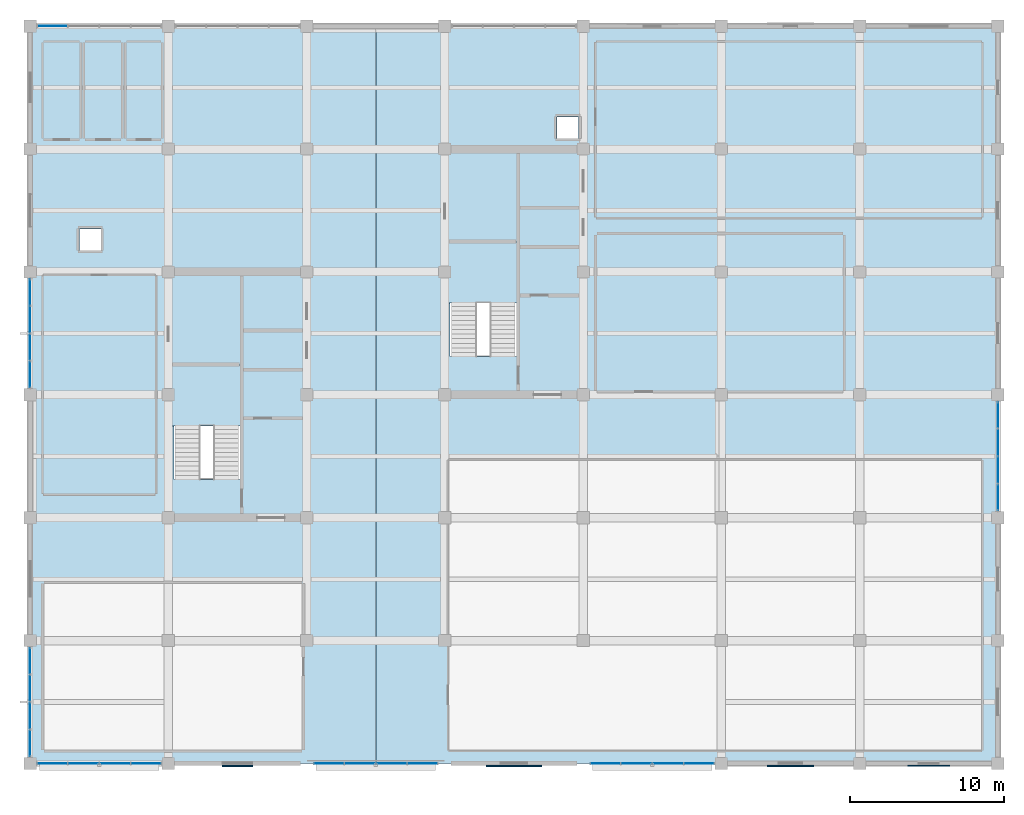
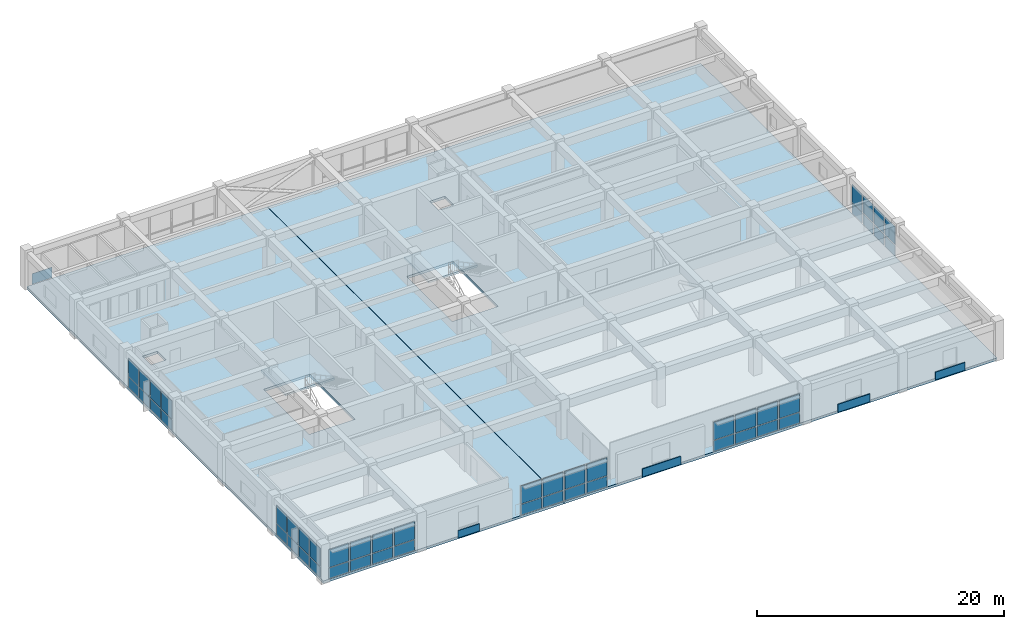
# One storey, part 11 of 16: 53 plates, 4 slabs, 9 elements without a shape of their own.
"""IFC4 building model written with IfcOpenShell, lengths in metres."""

import ifcopenshell
import ifcopenshell.guid

model = None  # the IFC model being written
_history = None  # IfcOwnerHistory: only IFC2X3 demands one
_inside = {}  # id of a spatial element -> (the spatial element, [elements in it])
_under = {}  # id of a project, library or spatial element -> (it, [spatial elements below it])
_declared = {}  # id of a project -> (the project, [libraries it declares])
_typed = {}  # id of a type object -> (the type object, [elements of that type])
_made_of = {}  # id of a material, layer set ... -> (it, [elements and type objects made of it])


def new_model(schema):
    """Start an empty IFC model of exactly this schema.

    Asked for "IFC4X3", IfcOpenShell would pick the latest addendum, in which some entities
    have other attributes; the version numbers below select the first issue.
    IFC2X3 requires an IfcOwnerHistory on every rooted entity: one is made here for all.
    """
    global model, _history
    if schema == "IFC4X3":
        model = ifcopenshell.file(schema_version=(4, 3, 0, 0))
    else:
        model = ifcopenshell.file(schema=schema)
    _inside.clear()
    _under.clear()
    _declared.clear()
    _typed.clear()
    _made_of.clear()
    _history = None
    if model.schema == "IFC2X3":
        org = make("IfcOrganization", Name="unknown")
        user = make(
            "IfcPersonAndOrganization",
            ThePerson=make("IfcPerson", FamilyName="unknown"),
            TheOrganization=org,
        )
        app = make(
            "IfcApplication",
            ApplicationDeveloper=org,
            Version="unknown",
            ApplicationFullName="unknown",
            ApplicationIdentifier="unknown",
        )
        _history = make(
            "IfcOwnerHistory",
            OwningUser=user,
            OwningApplication=app,
            ChangeAction="ADDED",
            CreationDate=0,
        )
    return model


def make(cls, **values):
    """One entity of the class cls with the attributes given. An attribute that is None is left unset."""
    return model.create_entity(
        cls, **{name: value for name, value in values.items() if value is not None}
    )


def rooted(cls, **values):
    """An entity with a GlobalId (a new one), such as an element, a storey or a relation."""
    return make(cls, GlobalId=ifcopenshell.guid.new(), OwnerHistory=_history, **values)


def si_unit(unit_type, name, prefix=None):
    """IfcSIUnit, for example si_unit("LENGTHUNIT", "METRE", prefix="MILLI")."""
    return make("IfcSIUnit", UnitType=unit_type, Prefix=prefix, Name=name)


def assignment(units):
    """IfcUnitAssignment: the units of a project."""
    return None if units is None else make("IfcUnitAssignment", Units=units)


def point(xyz):
    """IfcCartesianPoint."""
    return None if xyz is None else make("IfcCartesianPoint", Coordinates=xyz)


def direction(xyz):
    """IfcDirection."""
    return None if xyz is None else make("IfcDirection", DirectionRatios=xyz)


def frame(location, z_axis=None, x_axis=None):
    """IfcAxis2Placement3D, a coordinate frame: its origin and axes. An axis left out is left unset."""
    return make(
        "IfcAxis2Placement3D",
        Location=point(location),
        Axis=direction(z_axis),
        RefDirection=direction(x_axis),
    )


def frame_2d(location, x_axis=None):
    """IfcAxis2Placement2D, a coordinate frame in the plane: its origin and x axis."""
    return make(
        "IfcAxis2Placement2D", Location=point(location), RefDirection=direction(x_axis)
    )


def origin():
    """The frame at (0, 0, 0) with its axes left unset."""
    return frame((0.0, 0.0, 0.0))


def place(relative_to, where):
    """IfcLocalPlacement: puts the frame where relative to a parent placement (None: the world)."""
    return make(
        "IfcLocalPlacement", PlacementRelTo=relative_to, RelativePlacement=where
    )


def context(
    kind, dimensions, precision=None, world=None, true_north=None, identifier=None
):
    """IfcGeometricRepresentationContext, for example the 3D "Model" context."""
    return make(
        "IfcGeometricRepresentationContext",
        ContextIdentifier=identifier,
        ContextType=kind,
        CoordinateSpaceDimension=dimensions,
        Precision=precision,
        WorldCoordinateSystem=world,
        TrueNorth=true_north,
    )


def subcontext(parent, identifier, kind, view, scale=None):
    """IfcGeometricRepresentationSubContext, for example "Body" below "Model"."""
    return make(
        "IfcGeometricRepresentationSubContext",
        ContextIdentifier=identifier,
        ContextType=kind,
        ParentContext=parent,
        TargetScale=scale,
        TargetView=view,
    )


def project(units=None, contexts=None):
    """IfcProject with its units and contexts."""
    return rooted(
        "IfcProject",
        Name="project",
        RepresentationContexts=contexts,
        UnitsInContext=assignment(units),
    )


def spatial(cls, under=None, at=None, **own):
    """A site, building, storey or space (cls), placed at a placement, below another one or the project."""
    s = rooted(cls, ObjectPlacement=at, **own)
    if under is not None:
        _under.setdefault(under.id(), (under, []))[1].append(s)
    return s


def polyline(points):
    """IfcPolyline through the points."""
    return make("IfcPolyline", Points=[point(p) for p in points])


def profile(cls, at=None, kind="AREA", **sizes):
    """A parametric profile (cls). Its sizes go by their IFC names, for example OverallWidth=200.0."""
    return make(cls, ProfileType=kind, Position=at, **sizes)


def rectangle(**sizes):
    """IfcRectangleProfileDef."""
    return profile("IfcRectangleProfileDef", **sizes)


def outline(outer, holes=None, kind="AREA"):
    """IfcArbitraryClosedProfileDef: a profile drawn as a closed curve; with holes, ...WithVoids."""
    if holes is None:
        return make("IfcArbitraryClosedProfileDef", ProfileType=kind, OuterCurve=outer)
    return make(
        "IfcArbitraryProfileDefWithVoids",
        ProfileType=kind,
        OuterCurve=outer,
        InnerCurves=holes,
    )


def extrude(swept, where, along, depth):
    """IfcExtrudedAreaSolid: the profile swept, set in the frame where, extruded along a direction by depth."""
    return make(
        "IfcExtrudedAreaSolid",
        SweptArea=swept,
        Position=where,
        ExtrudedDirection=direction(along),
        Depth=depth,
    )


def shape(context_of_items, identifier, shape_type, items):
    """IfcShapeRepresentation: the items that make up one representation, for example the "Body"."""
    return make(
        "IfcShapeRepresentation",
        ContextOfItems=context_of_items,
        RepresentationIdentifier=identifier,
        RepresentationType=shape_type,
        Items=items,
    )


def material(Name=None, Category=None):
    """IfcMaterial."""
    return make("IfcMaterial", Name=Name, Category=Category)


def layer(
    of_material, thickness, ventilated=None, Name=None, Category=None, Priority=None
):
    """IfcMaterialLayer: one layer of a wall or slab, of a material (None: an air gap)."""
    return make(
        "IfcMaterialLayer",
        Material=of_material,
        LayerThickness=thickness,
        IsVentilated=ventilated,
        Name=Name,
        Category=Category,
        Priority=Priority,
    )


def layer_set(layers, Name=None):
    """IfcMaterialLayerSet."""
    return make("IfcMaterialLayerSet", MaterialLayers=layers, LayerSetName=Name)


def made_of(thing, what):
    """Note that an element or type object is made of a material, layer set ...; save() writes the relation."""
    if what is not None:
        _made_of.setdefault(what.id(), (what, []))[1].append(thing)
    return thing


def type_object(cls, material=None, **own):
    """A type object (cls), such as IfcWallType, which elements share."""
    return made_of(rooted(cls, **own), material)


def element(
    cls,
    number,
    at=None,
    inside=None,
    cuts=None,
    type_object=None,
    material=None,
    context=None,
    identifier="Body",
    shape_type=None,
    held_by="IfcProductDefinitionShape",
    body=None,
    shapes=None,
    **own,
):
    """One element of the class cls, such as IfcWall. Its Tag is "e" and its number.

    at: its placement. inside: the storey or other place that contains it. cuts: it is an
    opening in that element (IfcRelVoidsElement). A single representation is given by context,
    identifier, shape_type and body (its items); several are given by shapes. held_by: the class
    of the entity that holds the representations. save() writes the other relations.
    """
    e = rooted(cls, Tag="e%d" % number, ObjectPlacement=at, **own)
    if body is not None:
        shapes = [shape(context, identifier, shape_type, body)]
    if shapes is not None:
        e.Representation = make(held_by, Representations=shapes)
    if inside is not None:
        _inside.setdefault(inside.id(), (inside, []))[1].append(e)
    if cuts is not None:
        rooted(
            "IfcRelVoidsElement", RelatingBuildingElement=cuts, RelatedOpeningElement=e
        )
    if type_object is not None:
        _typed.setdefault(type_object.id(), (type_object, []))[1].append(e)
    return made_of(e, material)


def aggregate(whole, parts):
    """IfcRelAggregates: a whole, such as a stair, and the parts it consists of."""
    return rooted("IfcRelAggregates", RelatingObject=whole, RelatedObjects=parts)


def save(model, path):
    """Write the relations noted so far, then the file.

    IfcRelAggregates (storeys below a building ...), IfcRelContainedInSpatialStructure (elements
    in a storey), IfcRelDefinesByType, IfcRelAssociatesMaterial and IfcRelDeclares: one each for
    every whole, place, type object, material and project.
    """
    for whole, parts in _under.values():
        aggregate(whole, parts)
    for where, things in _inside.values():
        rooted(
            "IfcRelContainedInSpatialStructure",
            RelatedElements=things,
            RelatingStructure=where,
        )
    for kind, things in _typed.values():
        rooted("IfcRelDefinesByType", RelatedObjects=things, RelatingType=kind)
    for what, things in _made_of.values():
        rooted("IfcRelAssociatesMaterial", RelatedObjects=things, RelatingMaterial=what)
    for by, libraries in _declared.values():
        rooted("IfcRelDeclares", RelatingContext=by, RelatedDefinitions=libraries)
    model.write(path)


model = new_model("IFC4")

# Units and contexts
model_context = context("Model", 3, precision=1e-05, world=origin(), true_north=direction((0.0, 1.0)))
body_context = subcontext(model_context, "Body", "Model", "MODEL_VIEW")
ifc_project = project(units=[si_unit("LENGTHUNIT", "METRE"), si_unit("AREAUNIT", "SQUARE_METRE"), si_unit("VOLUMEUNIT", "CUBIC_METRE"), si_unit("PLANEANGLEUNIT", "RADIAN"), si_unit("MASSUNIT", "GRAM", prefix="KILO")], contexts=[model_context])

# Site, building, storey
site_placement = place(None, origin())
site = spatial("IfcSite", under=ifc_project, at=site_placement, CompositionType="ELEMENT")
building_placement = place(site_placement, origin())
building = spatial("IfcBuilding", under=site, at=building_placement, Name="Zaverband Oceanarium and Marine Research Institute", CompositionType="ELEMENT")
storey_placement = place(building_placement, frame((0.0, 0.0, 37.5)))
storey = spatial("IfcBuildingStorey", under=building, at=storey_placement, Name="L09", CompositionType="ELEMENT", Elevation=37.5)

# Curtain wall, plates
ifc_material_1 = material(Name="Thermally broken anodized aluminium and solar-control glass", Category="aluminium")
curtain_wall_type = type_object("IfcCurtainWallType", Name="CW-UNIT-1800", PredefinedType="NOTDEFINED", material=ifc_material_1)
curtain_wall_1_placement = place(storey_placement, origin())
curtain_wall_1 = element("IfcCurtainWall", 1, at=curtain_wall_1_placement, inside=storey, type_object=curtain_wall_type, Name="Unitised glazed curtain wall CW-109", PredefinedType="NOTDEFINED")
ifc_material_2 = material(Name="Low-E double-glazed solar-control glass", Category="glass")
ifc_layer_1 = layer(ifc_material_2, 0.033935546875, Name="Low-E double-glazed solar-control glass")
ifc_layer_set_1 = layer_set([ifc_layer_1], Name="Low-E double-glazed solar-control glass")
plate_type_1 = type_object("IfcPlateType", Name="CWP-1570x1043", PredefinedType="CURTAIN_PANEL", material=ifc_layer_set_1)
plate_1_placement = place(storey_placement, frame((9.0, 64.485107421875, 0.050048828125), z_axis=(0.0, 0.0, 1.0), x_axis=(0.0, 1.0, 0.0)))
plate_1 = element("IfcPlate", 2, at=plate_1_placement, type_object=plate_type_1, Name="Glazed curtain wall panel CWP-1570x1043", PredefinedType="CURTAIN_PANEL", context=body_context, shape_type="SweptSolid", body=[
    extrude(rectangle(XDim=1.637451171875, YDim=0.033935546875, at=frame_2d((0.81884765625, 0.0))), origin(), (0.0, 0.0, 1.0), 1.04296875),
])
plate_2_placement = place(storey_placement, frame((9.0, 66.282470703125, 0.050048828125), z_axis=(0.0, 0.0, 1.0), x_axis=(0.0, 1.0, 0.0)))
plate_2 = element("IfcPlate", 3, at=plate_2_placement, type_object=plate_type_1, Name="Glazed curtain wall panel CWP-1570x1043", PredefinedType="CURTAIN_PANEL", context=body_context, shape_type="SweptSolid", body=[
    extrude(rectangle(XDim=1.637451171875, YDim=0.033935546875, at=frame_2d((0.81884765625, 0.0))), origin(), (0.0, 0.0, 1.0), 1.04296875),
])
plate_3_placement = place(storey_placement, frame((9.0, 68.080078125, 0.050048828125), z_axis=(0.0, 0.0, 1.0), x_axis=(0.0, 1.0, 0.0)))
plate_3 = element("IfcPlate", 4, at=plate_3_placement, type_object=plate_type_1, Name="Glazed curtain wall panel CWP-1570x1043", PredefinedType="CURTAIN_PANEL", context=body_context, shape_type="SweptSolid", body=[
    extrude(rectangle(XDim=1.637451171875, YDim=0.033935546875, at=frame_2d((0.81884765625, 0.0))), origin(), (0.0, 0.0, 1.0), 1.04296875),
])
plate_4_placement = place(storey_placement, frame((9.0, 69.87744140625, 0.050048828125), z_axis=(0.0, 0.0, 1.0), x_axis=(0.0, 1.0, 0.0)))
plate_4 = element("IfcPlate", 5, at=plate_4_placement, type_object=plate_type_1, Name="Glazed curtain wall panel CWP-1570x1043", PredefinedType="CURTAIN_PANEL", context=body_context, shape_type="SweptSolid", body=[
    extrude(rectangle(XDim=1.637451171875, YDim=0.033935546875, at=frame_2d((0.81884765625, 0.0))), origin(), (0.0, 0.0, 1.0), 1.04296875),
])

curtain_wall_2_placement = place(storey_placement, origin())
curtain_wall_2 = element("IfcCurtainWall", 6, at=curtain_wall_2_placement, inside=storey, type_object=curtain_wall_type, Name="Unitised glazed curtain wall CW-110", PredefinedType="NOTDEFINED")
plate_5_placement = place(storey_placement, frame((9.0, 88.485107421875, 0.050048828125), z_axis=(0.0, 0.0, 1.0), x_axis=(0.0, 1.0, 0.0)))
plate_5 = element("IfcPlate", 7, at=plate_5_placement, type_object=plate_type_1, Name="Glazed curtain wall panel CWP-1570x1043", PredefinedType="CURTAIN_PANEL", context=body_context, shape_type="SweptSolid", body=[
    extrude(rectangle(XDim=1.637451171875, YDim=0.033935546875, at=frame_2d((0.81884765625, 0.0))), origin(), (0.0, 0.0, 1.0), 1.04296875),
])
plate_6_placement = place(storey_placement, frame((9.0, 90.282470703125, 0.050048828125), z_axis=(0.0, 0.0, 1.0), x_axis=(0.0, 1.0, 0.0)))
plate_6 = element("IfcPlate", 8, at=plate_6_placement, type_object=plate_type_1, Name="Glazed curtain wall panel CWP-1570x1043", PredefinedType="CURTAIN_PANEL", context=body_context, shape_type="SweptSolid", body=[
    extrude(rectangle(XDim=1.637451171875, YDim=0.033935546875, at=frame_2d((0.81884765625, 0.0))), origin(), (0.0, 0.0, 1.0), 1.04296875),
])
plate_7_placement = place(storey_placement, frame((9.0, 92.080078125, 0.050048828125), z_axis=(0.0, 0.0, 1.0), x_axis=(0.0, 1.0, 0.0)))
plate_7 = element("IfcPlate", 9, at=plate_7_placement, type_object=plate_type_1, Name="Glazed curtain wall panel CWP-1570x1043", PredefinedType="CURTAIN_PANEL", context=body_context, shape_type="SweptSolid", body=[
    extrude(rectangle(XDim=1.637451171875, YDim=0.033935546875, at=frame_2d((0.81884765625, 0.0))), origin(), (0.0, 0.0, 1.0), 1.04296875),
])
plate_8_placement = place(storey_placement, frame((9.0, 93.87744140625, 0.050048828125), z_axis=(0.0, 0.0, 1.0), x_axis=(0.0, 1.0, 0.0)))
plate_8 = element("IfcPlate", 10, at=plate_8_placement, type_object=plate_type_1, Name="Glazed curtain wall panel CWP-1570x1043", PredefinedType="CURTAIN_PANEL", context=body_context, shape_type="SweptSolid", body=[
    extrude(rectangle(XDim=1.637451171875, YDim=0.033935546875, at=frame_2d((0.81884765625, 0.0))), origin(), (0.0, 0.0, 1.0), 1.04296875),
])

curtain_wall_3_placement = place(storey_placement, origin())
curtain_wall_3 = element("IfcCurtainWall", 11, at=curtain_wall_3_placement, inside=storey, type_object=curtain_wall_type, Name="Unitised glazed curtain wall CW-111", PredefinedType="NOTDEFINED")
plate_9_placement = place(storey_placement, frame((72.0, 80.485107421875, 0.050048828125), z_axis=(0.0, 0.0, 1.0), x_axis=(0.0, 1.0, 0.0)))
plate_9 = element("IfcPlate", 12, at=plate_9_placement, type_object=plate_type_1, Name="Glazed curtain wall panel CWP-1570x1043", PredefinedType="CURTAIN_PANEL", context=body_context, shape_type="SweptSolid", body=[
    extrude(rectangle(XDim=1.637451171875, YDim=0.033935546875, at=frame_2d((0.81884765625, 0.0))), origin(), (0.0, 0.0, 1.0), 1.04296875),
])
plate_10_placement = place(storey_placement, frame((72.0, 82.282470703125, 0.050048828125), z_axis=(0.0, 0.0, 1.0), x_axis=(0.0, 1.0, 0.0)))
plate_10 = element("IfcPlate", 13, at=plate_10_placement, type_object=plate_type_1, Name="Glazed curtain wall panel CWP-1570x1043", PredefinedType="CURTAIN_PANEL", context=body_context, shape_type="SweptSolid", body=[
    extrude(rectangle(XDim=1.637451171875, YDim=0.033935546875, at=frame_2d((0.81884765625, 0.0))), origin(), (0.0, 0.0, 1.0), 1.04296875),
])
plate_11_placement = place(storey_placement, frame((72.0, 84.080078125, 0.050048828125), z_axis=(0.0, 0.0, 1.0), x_axis=(0.0, 1.0, 0.0)))
plate_11 = element("IfcPlate", 14, at=plate_11_placement, type_object=plate_type_1, Name="Glazed curtain wall panel CWP-1570x1043", PredefinedType="CURTAIN_PANEL", context=body_context, shape_type="SweptSolid", body=[
    extrude(rectangle(XDim=1.637451171875, YDim=0.033935546875, at=frame_2d((0.81884765625, 0.0))), origin(), (0.0, 0.0, 1.0), 1.04296875),
])
plate_12_placement = place(storey_placement, frame((72.0, 85.87744140625, 0.050048828125), z_axis=(0.0, 0.0, 1.0), x_axis=(0.0, 1.0, 0.0)))
plate_12 = element("IfcPlate", 15, at=plate_12_placement, type_object=plate_type_1, Name="Glazed curtain wall panel CWP-1570x1043", PredefinedType="CURTAIN_PANEL", context=body_context, shape_type="SweptSolid", body=[
    extrude(rectangle(XDim=1.637451171875, YDim=0.033935546875, at=frame_2d((0.81884765625, 0.0))), origin(), (0.0, 0.0, 1.0), 1.04296875),
])

# Plate
ifc_layer_2 = layer(ifc_material_2, 0.035888671875, Name="Low-E double-glazed solar-control glass")
ifc_layer_set_2 = layer_set([ifc_layer_2], Name="Low-E double-glazed solar-control glass")
plate_type_2 = type_object("IfcPlateType", Name="CWP-1570x1777", PredefinedType="CURTAIN_PANEL", material=ifc_layer_set_2)
plate_13_placement = place(storey_placement, frame((9.0, 64.485107421875, 1.1630859375), z_axis=(0.0, 0.0, 1.0), x_axis=(0.0, 1.0, 0.0)))
plate_13 = element("IfcPlate", 16, at=plate_13_placement, type_object=plate_type_2, Name="Glazed curtain wall panel CWP-1570x1777", PredefinedType="CURTAIN_PANEL", context=body_context, shape_type="SweptSolid", body=[
    extrude(rectangle(XDim=1.637451171875, YDim=0.035888671875, at=frame_2d((0.81884765625, 0.0))), origin(), (0.0, 0.0, 1.0), 1.77685546875),
])

plate_14_placement = place(storey_placement, frame((9.0, 66.282470703125, 1.1630859375), z_axis=(0.0, 0.0, 1.0), x_axis=(0.0, 1.0, 0.0)))
plate_14 = element("IfcPlate", 17, at=plate_14_placement, type_object=plate_type_2, Name="Glazed curtain wall panel CWP-1570x1777", PredefinedType="CURTAIN_PANEL", context=body_context, shape_type="SweptSolid", body=[
    extrude(rectangle(XDim=1.637451171875, YDim=0.035888671875, at=frame_2d((0.81884765625, 0.0))), origin(), (0.0, 0.0, 1.0), 1.77685546875),
])

plate_15_placement = place(storey_placement, frame((9.0, 68.080078125, 1.1630859375), z_axis=(0.0, 0.0, 1.0), x_axis=(0.0, 1.0, 0.0)))
plate_15 = element("IfcPlate", 18, at=plate_15_placement, type_object=plate_type_2, Name="Glazed curtain wall panel CWP-1570x1777", PredefinedType="CURTAIN_PANEL", context=body_context, shape_type="SweptSolid", body=[
    extrude(rectangle(XDim=1.637451171875, YDim=0.035888671875, at=frame_2d((0.81884765625, 0.0))), origin(), (0.0, 0.0, 1.0), 1.77685546875),
])

plate_16_placement = place(storey_placement, frame((9.0, 69.87744140625, 1.1630859375), z_axis=(0.0, 0.0, 1.0), x_axis=(0.0, 1.0, 0.0)))
plate_16 = element("IfcPlate", 19, at=plate_16_placement, type_object=plate_type_2, Name="Glazed curtain wall panel CWP-1570x1777", PredefinedType="CURTAIN_PANEL", context=body_context, shape_type="SweptSolid", body=[
    extrude(rectangle(XDim=1.637451171875, YDim=0.035888671875, at=frame_2d((0.81884765625, 0.0))), origin(), (0.0, 0.0, 1.0), 1.77685546875),
])

aggregate(curtain_wall_1, [plate_1, plate_13, plate_2, plate_14, plate_3, plate_15, plate_4, plate_16])

plate_17_placement = place(storey_placement, frame((9.0, 88.485107421875, 1.1630859375), z_axis=(0.0, 0.0, 1.0), x_axis=(0.0, 1.0, 0.0)))
plate_17 = element("IfcPlate", 20, at=plate_17_placement, type_object=plate_type_2, Name="Glazed curtain wall panel CWP-1570x1777", PredefinedType="CURTAIN_PANEL", context=body_context, shape_type="SweptSolid", body=[
    extrude(rectangle(XDim=1.637451171875, YDim=0.035888671875, at=frame_2d((0.81884765625, 0.0))), origin(), (0.0, 0.0, 1.0), 1.77685546875),
])

plate_18_placement = place(storey_placement, frame((9.0, 90.282470703125, 1.1630859375), z_axis=(0.0, 0.0, 1.0), x_axis=(0.0, 1.0, 0.0)))
plate_18 = element("IfcPlate", 21, at=plate_18_placement, type_object=plate_type_2, Name="Glazed curtain wall panel CWP-1570x1777", PredefinedType="CURTAIN_PANEL", context=body_context, shape_type="SweptSolid", body=[
    extrude(rectangle(XDim=1.637451171875, YDim=0.035888671875, at=frame_2d((0.81884765625, 0.0))), origin(), (0.0, 0.0, 1.0), 1.77685546875),
])

plate_19_placement = place(storey_placement, frame((9.0, 92.080078125, 1.1630859375), z_axis=(0.0, 0.0, 1.0), x_axis=(0.0, 1.0, 0.0)))
plate_19 = element("IfcPlate", 22, at=plate_19_placement, type_object=plate_type_2, Name="Glazed curtain wall panel CWP-1570x1777", PredefinedType="CURTAIN_PANEL", context=body_context, shape_type="SweptSolid", body=[
    extrude(rectangle(XDim=1.637451171875, YDim=0.035888671875, at=frame_2d((0.81884765625, 0.0))), origin(), (0.0, 0.0, 1.0), 1.77685546875),
])

plate_20_placement = place(storey_placement, frame((9.0, 93.87744140625, 1.1630859375), z_axis=(0.0, 0.0, 1.0), x_axis=(0.0, 1.0, 0.0)))
plate_20 = element("IfcPlate", 23, at=plate_20_placement, type_object=plate_type_2, Name="Glazed curtain wall panel CWP-1570x1777", PredefinedType="CURTAIN_PANEL", context=body_context, shape_type="SweptSolid", body=[
    extrude(rectangle(XDim=1.637451171875, YDim=0.035888671875, at=frame_2d((0.81884765625, 0.0))), origin(), (0.0, 0.0, 1.0), 1.77685546875),
])

aggregate(curtain_wall_2, [plate_5, plate_17, plate_6, plate_18, plate_7, plate_19, plate_8, plate_20])

plate_21_placement = place(storey_placement, frame((72.0, 80.485107421875, 1.1630859375), z_axis=(0.0, 0.0, 1.0), x_axis=(0.0, 1.0, 0.0)))
plate_21 = element("IfcPlate", 24, at=plate_21_placement, type_object=plate_type_2, Name="Glazed curtain wall panel CWP-1570x1777", PredefinedType="CURTAIN_PANEL", context=body_context, shape_type="SweptSolid", body=[
    extrude(rectangle(XDim=1.637451171875, YDim=0.035888671875, at=frame_2d((0.81884765625, 0.0))), origin(), (0.0, 0.0, 1.0), 1.77685546875),
])

plate_22_placement = place(storey_placement, frame((72.0, 82.282470703125, 1.1630859375), z_axis=(0.0, 0.0, 1.0), x_axis=(0.0, 1.0, 0.0)))
plate_22 = element("IfcPlate", 25, at=plate_22_placement, type_object=plate_type_2, Name="Glazed curtain wall panel CWP-1570x1777", PredefinedType="CURTAIN_PANEL", context=body_context, shape_type="SweptSolid", body=[
    extrude(rectangle(XDim=1.637451171875, YDim=0.035888671875, at=frame_2d((0.81884765625, 0.0))), origin(), (0.0, 0.0, 1.0), 1.77685546875),
])

plate_23_placement = place(storey_placement, frame((72.0, 84.080078125, 1.1630859375), z_axis=(0.0, 0.0, 1.0), x_axis=(0.0, 1.0, 0.0)))
plate_23 = element("IfcPlate", 26, at=plate_23_placement, type_object=plate_type_2, Name="Glazed curtain wall panel CWP-1570x1777", PredefinedType="CURTAIN_PANEL", context=body_context, shape_type="SweptSolid", body=[
    extrude(rectangle(XDim=1.637451171875, YDim=0.035888671875, at=frame_2d((0.81884765625, 0.0))), origin(), (0.0, 0.0, 1.0), 1.77685546875),
])

plate_24_placement = place(storey_placement, frame((72.0, 85.87744140625, 1.1630859375), z_axis=(0.0, 0.0, 1.0), x_axis=(0.0, 1.0, 0.0)))
plate_24 = element("IfcPlate", 27, at=plate_24_placement, type_object=plate_type_2, Name="Glazed curtain wall panel CWP-1570x1777", PredefinedType="CURTAIN_PANEL", context=body_context, shape_type="SweptSolid", body=[
    extrude(rectangle(XDim=1.637451171875, YDim=0.035888671875, at=frame_2d((0.81884765625, 0.0))), origin(), (0.0, 0.0, 1.0), 1.77685546875),
])

aggregate(curtain_wall_3, [plate_9, plate_21, plate_10, plate_22, plate_11, plate_23, plate_12, plate_24])

# Curtain wall, plates
curtain_wall_4_placement = place(storey_placement, origin())
curtain_wall_4 = element("IfcCurtainWall", 28, at=curtain_wall_4_placement, inside=storey, type_object=curtain_wall_type, Name="Unitised glazed curtain wall CW-103", PredefinedType="NOTDEFINED")
ifc_layer_3 = layer(ifc_material_2, 0.033935546875, Name="Low-E double-glazed solar-control glass")
ifc_layer_set_3 = layer_set([ifc_layer_3], Name="Low-E double-glazed solar-control glass")
plate_type_3 = type_object("IfcPlateType", Name="CWP-1820x1043", PredefinedType="CURTAIN_PANEL", material=ifc_layer_set_3)
plate_25_placement = place(storey_placement, frame((9.485107421875, 64.0, 0.050048828125), z_axis=(0.0, 0.0, 1.0), x_axis=(1.0, 0.0, 0.0)))
plate_25 = element("IfcPlate", 29, at=plate_25_placement, type_object=plate_type_3, Name="Glazed curtain wall panel CWP-1820x1043", PredefinedType="CURTAIN_PANEL", context=body_context, shape_type="SweptSolid", body=[
    extrude(rectangle(XDim=1.887451171875, YDim=0.033935546875, at=frame_2d((0.94384765625, 0.0))), origin(), (0.0, 0.0, 1.0), 1.04296875),
])
plate_26_placement = place(storey_placement, frame((11.532470703125, 64.0, 0.050048828125), z_axis=(0.0, 0.0, 1.0), x_axis=(1.0, 0.0, 0.0)))
plate_26 = element("IfcPlate", 30, at=plate_26_placement, type_object=plate_type_3, Name="Glazed curtain wall panel CWP-1820x1043", PredefinedType="CURTAIN_PANEL", context=body_context, shape_type="SweptSolid", body=[
    extrude(rectangle(XDim=1.887451171875, YDim=0.033935546875, at=frame_2d((0.94384765625, 0.0))), origin(), (0.0, 0.0, 1.0), 1.04296875),
])
plate_27_placement = place(storey_placement, frame((13.580078125, 64.0, 0.050048828125), z_axis=(0.0, 0.0, 1.0), x_axis=(1.0, 0.0, 0.0)))
plate_27 = element("IfcPlate", 31, at=plate_27_placement, type_object=plate_type_3, Name="Glazed curtain wall panel CWP-1820x1043", PredefinedType="CURTAIN_PANEL", context=body_context, shape_type="SweptSolid", body=[
    extrude(rectangle(XDim=1.887451171875, YDim=0.033935546875, at=frame_2d((0.94384765625, 0.0))), origin(), (0.0, 0.0, 1.0), 1.04296875),
])
plate_28_placement = place(storey_placement, frame((15.62744140625, 64.0, 0.050048828125), z_axis=(0.0, 0.0, 1.0), x_axis=(1.0, 0.0, 0.0)))
plate_28 = element("IfcPlate", 32, at=plate_28_placement, type_object=plate_type_3, Name="Glazed curtain wall panel CWP-1820x1043", PredefinedType="CURTAIN_PANEL", context=body_context, shape_type="SweptSolid", body=[
    extrude(rectangle(XDim=1.887451171875, YDim=0.033935546875, at=frame_2d((0.94384765625, 0.0))), origin(), (0.0, 0.0, 1.0), 1.04296875),
])

curtain_wall_5_placement = place(storey_placement, origin())
curtain_wall_5 = element("IfcCurtainWall", 33, at=curtain_wall_5_placement, inside=storey, type_object=curtain_wall_type, Name="Unitised glazed curtain wall CW-104", PredefinedType="NOTDEFINED")
plate_29_placement = place(storey_placement, frame((27.485107421875, 64.0, 0.050048828125), z_axis=(0.0, 0.0, 1.0), x_axis=(1.0, 0.0, 0.0)))
plate_29 = element("IfcPlate", 34, at=plate_29_placement, type_object=plate_type_3, Name="Glazed curtain wall panel CWP-1820x1043", PredefinedType="CURTAIN_PANEL", context=body_context, shape_type="SweptSolid", body=[
    extrude(rectangle(XDim=1.887451171875, YDim=0.033935546875, at=frame_2d((0.94384765625, 0.0))), origin(), (0.0, 0.0, 1.0), 1.04296875),
])
plate_30_placement = place(storey_placement, frame((29.532470703125, 64.0, 0.050048828125), z_axis=(0.0, 0.0, 1.0), x_axis=(1.0, 0.0, 0.0)))
plate_30 = element("IfcPlate", 35, at=plate_30_placement, type_object=plate_type_3, Name="Glazed curtain wall panel CWP-1820x1043", PredefinedType="CURTAIN_PANEL", context=body_context, shape_type="SweptSolid", body=[
    extrude(rectangle(XDim=1.887451171875, YDim=0.033935546875, at=frame_2d((0.94384765625, 0.0))), origin(), (0.0, 0.0, 1.0), 1.04296875),
])
plate_31_placement = place(storey_placement, frame((31.580078125, 64.0, 0.050048828125), z_axis=(0.0, 0.0, 1.0), x_axis=(1.0, 0.0, 0.0)))
plate_31 = element("IfcPlate", 36, at=plate_31_placement, type_object=plate_type_3, Name="Glazed curtain wall panel CWP-1820x1043", PredefinedType="CURTAIN_PANEL", context=body_context, shape_type="SweptSolid", body=[
    extrude(rectangle(XDim=1.887451171875, YDim=0.033935546875, at=frame_2d((0.94384765625, 0.0))), origin(), (0.0, 0.0, 1.0), 1.04296875),
])
plate_32_placement = place(storey_placement, frame((33.62744140625, 64.0, 0.050048828125), z_axis=(0.0, 0.0, 1.0), x_axis=(1.0, 0.0, 0.0)))
plate_32 = element("IfcPlate", 37, at=plate_32_placement, type_object=plate_type_3, Name="Glazed curtain wall panel CWP-1820x1043", PredefinedType="CURTAIN_PANEL", context=body_context, shape_type="SweptSolid", body=[
    extrude(rectangle(XDim=1.887451171875, YDim=0.033935546875, at=frame_2d((0.94384765625, 0.0))), origin(), (0.0, 0.0, 1.0), 1.04296875),
])

curtain_wall_6_placement = place(storey_placement, origin())
curtain_wall_6 = element("IfcCurtainWall", 38, at=curtain_wall_6_placement, inside=storey, type_object=curtain_wall_type, Name="Unitised glazed curtain wall CW-105", PredefinedType="NOTDEFINED")
plate_33_placement = place(storey_placement, frame((45.485107421875, 64.0, 0.050048828125), z_axis=(0.0, 0.0, 1.0), x_axis=(1.0, 0.0, 0.0)))
plate_33 = element("IfcPlate", 39, at=plate_33_placement, type_object=plate_type_3, Name="Glazed curtain wall panel CWP-1820x1043", PredefinedType="CURTAIN_PANEL", context=body_context, shape_type="SweptSolid", body=[
    extrude(rectangle(XDim=1.887451171875, YDim=0.033935546875, at=frame_2d((0.94384765625, 0.0))), origin(), (0.0, 0.0, 1.0), 1.04296875),
])
plate_34_placement = place(storey_placement, frame((47.532470703125, 64.0, 0.050048828125), z_axis=(0.0, 0.0, 1.0), x_axis=(1.0, 0.0, 0.0)))
plate_34 = element("IfcPlate", 40, at=plate_34_placement, type_object=plate_type_3, Name="Glazed curtain wall panel CWP-1820x1043", PredefinedType="CURTAIN_PANEL", context=body_context, shape_type="SweptSolid", body=[
    extrude(rectangle(XDim=1.887451171875, YDim=0.033935546875, at=frame_2d((0.94384765625, 0.0))), origin(), (0.0, 0.0, 1.0), 1.04296875),
])
plate_35_placement = place(storey_placement, frame((49.580078125, 64.0, 0.050048828125), z_axis=(0.0, 0.0, 1.0), x_axis=(1.0, 0.0, 0.0)))
plate_35 = element("IfcPlate", 41, at=plate_35_placement, type_object=plate_type_3, Name="Glazed curtain wall panel CWP-1820x1043", PredefinedType="CURTAIN_PANEL", context=body_context, shape_type="SweptSolid", body=[
    extrude(rectangle(XDim=1.887451171875, YDim=0.033935546875, at=frame_2d((0.94384765625, 0.0))), origin(), (0.0, 0.0, 1.0), 1.04296875),
])
plate_36_placement = place(storey_placement, frame((51.62744140625, 64.0, 0.050048828125), z_axis=(0.0, 0.0, 1.0), x_axis=(1.0, 0.0, 0.0)))
plate_36 = element("IfcPlate", 42, at=plate_36_placement, type_object=plate_type_3, Name="Glazed curtain wall panel CWP-1820x1043", PredefinedType="CURTAIN_PANEL", context=body_context, shape_type="SweptSolid", body=[
    extrude(rectangle(XDim=1.887451171875, YDim=0.033935546875, at=frame_2d((0.94384765625, 0.0))), origin(), (0.0, 0.0, 1.0), 1.04296875),
])

# Curtain wall, plate
curtain_wall_7_placement = place(storey_placement, origin())
curtain_wall_7 = element("IfcCurtainWall", 43, at=curtain_wall_7_placement, inside=storey, type_object=curtain_wall_type, Name="Unitised glazed curtain wall CW-106", PredefinedType="NOTDEFINED")
plate_37_placement = place(storey_placement, frame((9.485107421875, 112.0, 0.050048828125), z_axis=(0.0, 0.0, 1.0), x_axis=(1.0, 0.0, 0.0)))
plate_37 = element("IfcPlate", 44, at=plate_37_placement, type_object=plate_type_3, Name="Glazed curtain wall panel CWP-1820x1043", PredefinedType="CURTAIN_PANEL", context=body_context, shape_type="SweptSolid", body=[
    extrude(rectangle(XDim=1.887451171875, YDim=0.033935546875, at=frame_2d((0.94384765625, 0.0))), origin(), (0.0, 0.0, 1.0), 1.04296875),
])
aggregate(curtain_wall_7, [plate_37])

# Plate
ifc_layer_4 = layer(ifc_material_2, 0.035888671875, Name="Low-E double-glazed solar-control glass")
ifc_layer_set_4 = layer_set([ifc_layer_4], Name="Low-E double-glazed solar-control glass")
plate_type_4 = type_object("IfcPlateType", Name="CWP-1820x1777", PredefinedType="CURTAIN_PANEL", material=ifc_layer_set_4)
plate_38_placement = place(storey_placement, frame((9.485107421875, 64.0, 1.1630859375), z_axis=(0.0, 0.0, 1.0), x_axis=(1.0, 0.0, 0.0)))
plate_38 = element("IfcPlate", 45, at=plate_38_placement, type_object=plate_type_4, Name="Glazed curtain wall panel CWP-1820x1777", PredefinedType="CURTAIN_PANEL", context=body_context, shape_type="SweptSolid", body=[
    extrude(rectangle(XDim=1.887451171875, YDim=0.035888671875, at=frame_2d((0.94384765625, 0.0))), origin(), (0.0, 0.0, 1.0), 1.77685546875),
])

plate_39_placement = place(storey_placement, frame((11.532470703125, 64.0, 1.1630859375), z_axis=(0.0, 0.0, 1.0), x_axis=(1.0, 0.0, 0.0)))
plate_39 = element("IfcPlate", 46, at=plate_39_placement, type_object=plate_type_4, Name="Glazed curtain wall panel CWP-1820x1777", PredefinedType="CURTAIN_PANEL", context=body_context, shape_type="SweptSolid", body=[
    extrude(rectangle(XDim=1.887451171875, YDim=0.035888671875, at=frame_2d((0.94384765625, 0.0))), origin(), (0.0, 0.0, 1.0), 1.77685546875),
])

plate_40_placement = place(storey_placement, frame((13.580078125, 64.0, 1.1630859375), z_axis=(0.0, 0.0, 1.0), x_axis=(1.0, 0.0, 0.0)))
plate_40 = element("IfcPlate", 47, at=plate_40_placement, type_object=plate_type_4, Name="Glazed curtain wall panel CWP-1820x1777", PredefinedType="CURTAIN_PANEL", context=body_context, shape_type="SweptSolid", body=[
    extrude(rectangle(XDim=1.887451171875, YDim=0.035888671875, at=frame_2d((0.94384765625, 0.0))), origin(), (0.0, 0.0, 1.0), 1.77685546875),
])

plate_41_placement = place(storey_placement, frame((15.62744140625, 64.0, 1.1630859375), z_axis=(0.0, 0.0, 1.0), x_axis=(1.0, 0.0, 0.0)))
plate_41 = element("IfcPlate", 48, at=plate_41_placement, type_object=plate_type_4, Name="Glazed curtain wall panel CWP-1820x1777", PredefinedType="CURTAIN_PANEL", context=body_context, shape_type="SweptSolid", body=[
    extrude(rectangle(XDim=1.887451171875, YDim=0.035888671875, at=frame_2d((0.94384765625, 0.0))), origin(), (0.0, 0.0, 1.0), 1.77685546875),
])

aggregate(curtain_wall_4, [plate_25, plate_38, plate_26, plate_39, plate_27, plate_40, plate_28, plate_41])

plate_42_placement = place(storey_placement, frame((27.485107421875, 64.0, 1.1630859375), z_axis=(0.0, 0.0, 1.0), x_axis=(1.0, 0.0, 0.0)))
plate_42 = element("IfcPlate", 49, at=plate_42_placement, type_object=plate_type_4, Name="Glazed curtain wall panel CWP-1820x1777", PredefinedType="CURTAIN_PANEL", context=body_context, shape_type="SweptSolid", body=[
    extrude(rectangle(XDim=1.887451171875, YDim=0.035888671875, at=frame_2d((0.94384765625, 0.0))), origin(), (0.0, 0.0, 1.0), 1.77685546875),
])

plate_43_placement = place(storey_placement, frame((29.532470703125, 64.0, 1.1630859375), z_axis=(0.0, 0.0, 1.0), x_axis=(1.0, 0.0, 0.0)))
plate_43 = element("IfcPlate", 50, at=plate_43_placement, type_object=plate_type_4, Name="Glazed curtain wall panel CWP-1820x1777", PredefinedType="CURTAIN_PANEL", context=body_context, shape_type="SweptSolid", body=[
    extrude(rectangle(XDim=1.887451171875, YDim=0.035888671875, at=frame_2d((0.94384765625, 0.0))), origin(), (0.0, 0.0, 1.0), 1.77685546875),
])

plate_44_placement = place(storey_placement, frame((31.580078125, 64.0, 1.1630859375), z_axis=(0.0, 0.0, 1.0), x_axis=(1.0, 0.0, 0.0)))
plate_44 = element("IfcPlate", 51, at=plate_44_placement, type_object=plate_type_4, Name="Glazed curtain wall panel CWP-1820x1777", PredefinedType="CURTAIN_PANEL", context=body_context, shape_type="SweptSolid", body=[
    extrude(rectangle(XDim=1.887451171875, YDim=0.035888671875, at=frame_2d((0.94384765625, 0.0))), origin(), (0.0, 0.0, 1.0), 1.77685546875),
])

plate_45_placement = place(storey_placement, frame((33.62744140625, 64.0, 1.1630859375), z_axis=(0.0, 0.0, 1.0), x_axis=(1.0, 0.0, 0.0)))
plate_45 = element("IfcPlate", 52, at=plate_45_placement, type_object=plate_type_4, Name="Glazed curtain wall panel CWP-1820x1777", PredefinedType="CURTAIN_PANEL", context=body_context, shape_type="SweptSolid", body=[
    extrude(rectangle(XDim=1.887451171875, YDim=0.035888671875, at=frame_2d((0.94384765625, 0.0))), origin(), (0.0, 0.0, 1.0), 1.77685546875),
])

aggregate(curtain_wall_5, [plate_29, plate_42, plate_30, plate_43, plate_31, plate_44, plate_32, plate_45])

plate_46_placement = place(storey_placement, frame((45.485107421875, 64.0, 1.1630859375), z_axis=(0.0, 0.0, 1.0), x_axis=(1.0, 0.0, 0.0)))
plate_46 = element("IfcPlate", 53, at=plate_46_placement, type_object=plate_type_4, Name="Glazed curtain wall panel CWP-1820x1777", PredefinedType="CURTAIN_PANEL", context=body_context, shape_type="SweptSolid", body=[
    extrude(rectangle(XDim=1.887451171875, YDim=0.035888671875, at=frame_2d((0.94384765625, 0.0))), origin(), (0.0, 0.0, 1.0), 1.77685546875),
])

plate_47_placement = place(storey_placement, frame((47.532470703125, 64.0, 1.1630859375), z_axis=(0.0, 0.0, 1.0), x_axis=(1.0, 0.0, 0.0)))
plate_47 = element("IfcPlate", 54, at=plate_47_placement, type_object=plate_type_4, Name="Glazed curtain wall panel CWP-1820x1777", PredefinedType="CURTAIN_PANEL", context=body_context, shape_type="SweptSolid", body=[
    extrude(rectangle(XDim=1.887451171875, YDim=0.035888671875, at=frame_2d((0.94384765625, 0.0))), origin(), (0.0, 0.0, 1.0), 1.77685546875),
])

plate_48_placement = place(storey_placement, frame((49.580078125, 64.0, 1.1630859375), z_axis=(0.0, 0.0, 1.0), x_axis=(1.0, 0.0, 0.0)))
plate_48 = element("IfcPlate", 55, at=plate_48_placement, type_object=plate_type_4, Name="Glazed curtain wall panel CWP-1820x1777", PredefinedType="CURTAIN_PANEL", context=body_context, shape_type="SweptSolid", body=[
    extrude(rectangle(XDim=1.887451171875, YDim=0.035888671875, at=frame_2d((0.94384765625, 0.0))), origin(), (0.0, 0.0, 1.0), 1.77685546875),
])

plate_49_placement = place(storey_placement, frame((51.62744140625, 64.0, 1.1630859375), z_axis=(0.0, 0.0, 1.0), x_axis=(1.0, 0.0, 0.0)))
plate_49 = element("IfcPlate", 56, at=plate_49_placement, type_object=plate_type_4, Name="Glazed curtain wall panel CWP-1820x1777", PredefinedType="CURTAIN_PANEL", context=body_context, shape_type="SweptSolid", body=[
    extrude(rectangle(XDim=1.887451171875, YDim=0.035888671875, at=frame_2d((0.94384765625, 0.0))), origin(), (0.0, 0.0, 1.0), 1.77685546875),
])

aggregate(curtain_wall_6, [plate_33, plate_46, plate_34, plate_47, plate_35, plate_48, plate_36, plate_49])

# Plates
ifc_material_3 = material(Name="Concrete C40/50 precast ochre", Category="concrete")
ifc_layer_5 = layer(ifc_material_3, 0.070068359375, Name="Concrete C40/50 precast ochre")
ifc_layer_set_5 = layer_set([ifc_layer_5], Name="Concrete C40/50 precast ochre")
plate_type_5 = type_object("IfcPlateType", Name="FRP-2000x720", PredefinedType="USERDEFINED", material=ifc_layer_set_5)
plate_50_placement = place(storey_placement, frame((21.5, 63.8349609375, 0.0), z_axis=(0.0, 0.0, 1.0), x_axis=(1.0, 0.0, 0.0)))
element("IfcPlate", 57, at=plate_50_placement, inside=storey, type_object=plate_type_5, Name="Geometric precast facade cladding panel FRP-2000x720", ObjectType="FLANGE_PLATE", PredefinedType="USERDEFINED", context=body_context, shape_type="SweptSolid", body=[
    extrude(rectangle(XDim=2.0, YDim=0.070068359375, at=frame_2d((1.0, 0.0))), origin(), (0.0, 0.0, 1.0), 0.719970703125),
])
ifc_layer_6 = layer(ifc_material_3, 0.080078125, Name="Concrete C40/50 precast ochre")
ifc_layer_set_6 = layer_set([ifc_layer_6], Name="Concrete C40/50 precast ochre")
plate_type_6 = type_object("IfcPlateType", Name="FRP-2750x760", PredefinedType="USERDEFINED", material=ifc_layer_set_6)
plate_51_placement = place(storey_placement, frame((66.125, 63.842529296875, 0.0), z_axis=(0.0, 0.0, 1.0), x_axis=(1.0, 0.0, 0.0)))
element("IfcPlate", 58, at=plate_51_placement, inside=storey, type_object=plate_type_6, Name="Geometric precast facade cladding panel FRP-2750x760", ObjectType="FLANGE_PLATE", PredefinedType="USERDEFINED", context=body_context, shape_type="SweptSolid", body=[
    extrude(rectangle(XDim=2.75, YDim=0.080078125, at=frame_2d((1.375, 0.0))), origin(), (0.0, 0.0, 1.0), 0.760009765625),
])
ifc_layer_7 = layer(ifc_material_3, 0.080078125, Name="Concrete C40/50 precast ochre")
ifc_layer_set_7 = layer_set([ifc_layer_7], Name="Concrete C40/50 precast ochre")
plate_type_7 = type_object("IfcPlateType", Name="FRP-3000x780", PredefinedType="USERDEFINED", material=ifc_layer_set_7)
plate_52_placement = place(storey_placement, frame((57.0, 63.830078125, 0.0), z_axis=(0.0, 0.0, 1.0), x_axis=(1.0, 0.0, 0.0)))
element("IfcPlate", 59, at=plate_52_placement, inside=storey, type_object=plate_type_7, Name="Geometric precast facade cladding panel FRP-3000x780", ObjectType="FLANGE_PLATE", PredefinedType="USERDEFINED", context=body_context, shape_type="SweptSolid", body=[
    extrude(rectangle(XDim=3.0, YDim=0.080078125, at=frame_2d((1.5, 0.0))), origin(), (0.0, 0.0, 1.0), 0.780029296875),
])
ifc_layer_8 = layer(ifc_material_3, 0.0849609375, Name="Concrete C40/50 precast ochre")
ifc_layer_set_8 = layer_set([ifc_layer_8], Name="Concrete C40/50 precast ochre")
plate_type_8 = type_object("IfcPlateType", Name="FRP-3600x800", PredefinedType="USERDEFINED", material=ifc_layer_set_8)
plate_53_placement = place(storey_placement, frame((38.699951171875, 63.827392578125, 0.0), z_axis=(0.0, 0.0, 1.0), x_axis=(1.0, 0.0, 0.0)))
element("IfcPlate", 60, at=plate_53_placement, inside=storey, type_object=plate_type_8, Name="Geometric precast facade cladding panel FRP-3600x800", ObjectType="FLANGE_PLATE", PredefinedType="USERDEFINED", context=body_context, shape_type="SweptSolid", body=[
    extrude(rectangle(XDim=3.60009765625, YDim=0.0849609375, at=frame_2d((1.800048828125, 0.0))), origin(), (0.0, 0.0, 1.0), 0.800048828125),
])

# Slabs
ifc_material_4 = material(Name="Concrete C40/50", Category="concrete")
ifc_layer_9 = layer(ifc_material_4, 0.25, Name="Concrete C40/50")
ifc_layer_set_9 = layer_set([ifc_layer_9], Name="Concrete C40/50")
slab_type_1 = type_object("IfcSlabType", Name="SLB-LAB-250", PredefinedType="FLOOR", material=ifc_layer_set_9)
slab_1_placement = place(storey_placement, frame((0.0, 0.0, -0.25)))
element("IfcSlab", 61, at=slab_1_placement, inside=storey, type_object=slab_type_1, Name="Suspended floor slab SLB-LAB-250", PredefinedType="FLOOR", context=body_context, shape_type="SweptSolid", body=[
    extrude(outline(polyline([(9.0, 112.0), (31.485107421875, 112.0), (31.485107421875, 64.0), (9.0, 64.0), (9.0, 112.0)]), holes=[polyline([(18.35009765625, 89.85009765625), (18.35009765625, 82.5), (22.64990234375, 82.5), (22.64990234375, 89.85009765625), (18.35009765625, 89.85009765625)]), polyline([(12.199951171875, 98.800048828125), (12.199951171875, 97.39990234375), (13.60009765625, 97.39990234375), (13.60009765625, 98.800048828125), (12.199951171875, 98.800048828125)])]), origin(), (0.0, 0.0, 1.0), 0.25),
])
slab_2_placement = place(storey_placement, frame((0.0, 0.0, -0.25)))
element("IfcSlab", 62, at=slab_2_placement, inside=storey, type_object=slab_type_1, Name="Suspended floor slab SLB-LAB-250", PredefinedType="FLOOR", context=body_context, shape_type="SweptSolid", body=[
    extrude(outline(polyline([(31.514892578125, 112.0), (72.0, 112.0), (72.0, 64.0), (31.514892578125, 64.0), (31.514892578125, 112.0)]), holes=[polyline([(36.35009765625, 97.85009765625), (36.35009765625, 90.5), (40.64990234375, 90.5), (40.64990234375, 97.85009765625), (36.35009765625, 97.85009765625)]), polyline([(43.300048828125, 106.10009765625), (43.300048828125, 104.699951171875), (44.699951171875, 104.699951171875), (44.699951171875, 106.10009765625), (43.300048828125, 106.10009765625)])]), origin(), (0.0, 0.0, 1.0), 0.25),
])

# Stair, slab
stair_type = type_object("IfcStairType", Name="STR-TWR-1650-3900", PredefinedType="HALF_TURN_STAIR", material=ifc_material_4)
stair_1_placement = place(storey_placement, origin())
stair_1 = element("IfcStair", 63, at=stair_1_placement, inside=storey, type_object=stair_type, Name="Exit Stair ST-01 (L09)", PredefinedType="HALF_TURN_STAIR")
ifc_layer_10 = layer(ifc_material_4, 0.199951171875, Name="Concrete C40/50")
ifc_layer_set_10 = layer_set([ifc_layer_10], Name="Concrete C40/50")
slab_type_2 = type_object("IfcSlabType", Name="SLB-LND-200", PredefinedType="LANDING", material=ifc_layer_set_10)
slab_3_placement = place(storey_placement, frame((0.0, 0.0, 1.75)))
slab_3 = element("IfcSlab", 64, at=slab_3_placement, type_object=slab_type_2, Name="Stair / ramp landing slab SLB-LND-200", PredefinedType="LANDING", context=body_context, shape_type="SweptSolid", body=[
    extrude(outline(polyline([(18.139892578125, 85.969970703125), (22.735107421875, 85.969970703125), (22.735107421875, 89.93505859375), (18.139892578125, 89.93505859375), (18.139892578125, 85.969970703125)])), origin(), (0.0, 0.0, 1.0), 0.199951171875),
])
aggregate(stair_1, [slab_3])

stair_2_placement = place(storey_placement, origin())
stair_2 = element("IfcStair", 65, at=stair_2_placement, inside=storey, type_object=stair_type, Name="Exit Stair ST-02 (L09)", PredefinedType="HALF_TURN_STAIR")
slab_4_placement = place(storey_placement, frame((0.0, 0.0, 1.75)))
slab_4 = element("IfcSlab", 66, at=slab_4_placement, type_object=slab_type_2, Name="Stair / ramp landing slab SLB-LND-200", PredefinedType="LANDING", context=body_context, shape_type="SweptSolid", body=[
    extrude(outline(polyline([(36.139892578125, 93.969970703125), (40.735107421875, 93.969970703125), (40.735107421875, 97.93505859375), (36.139892578125, 97.93505859375), (36.139892578125, 93.969970703125)])), origin(), (0.0, 0.0, 1.0), 0.199951171875),
])
aggregate(stair_2, [slab_4])

save(model, "model.ifc")
